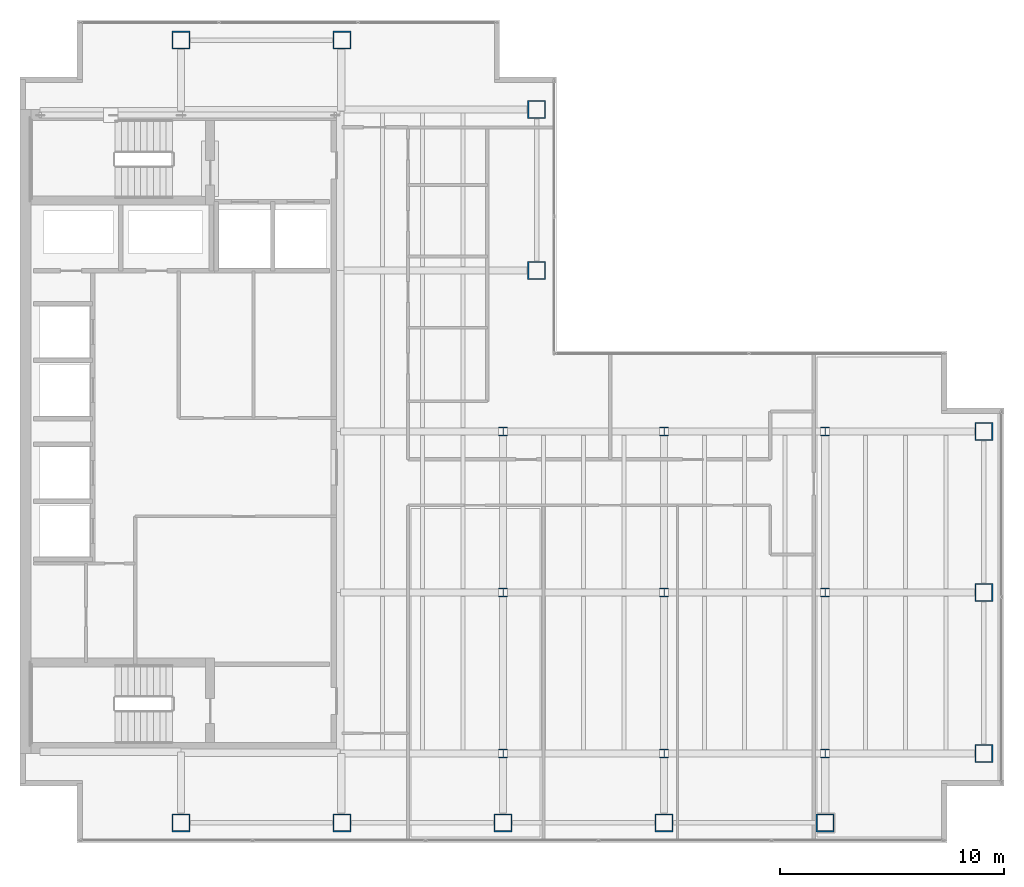
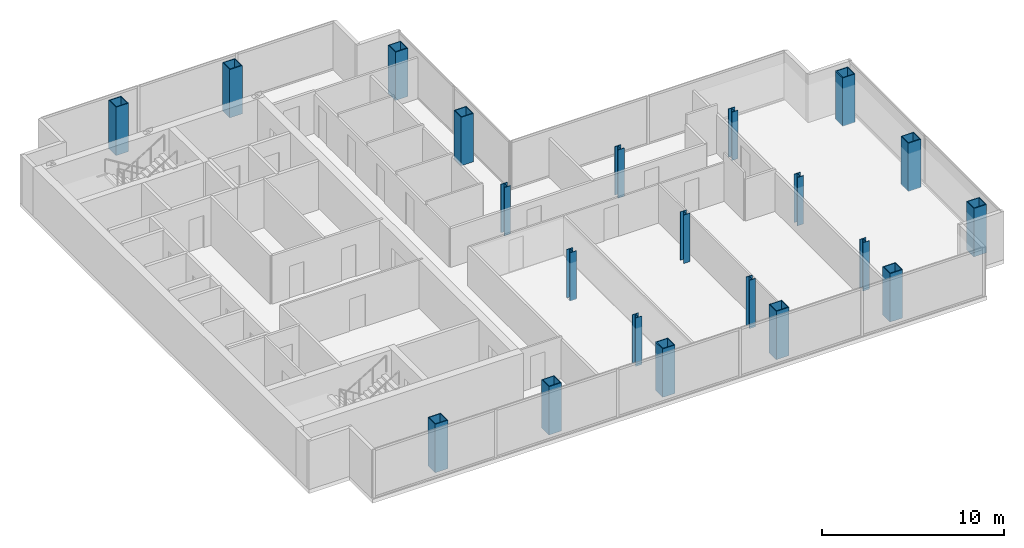
# One storey, part 1 of 23: 21 columns.
"""IFC4 building model written with IfcOpenShell, lengths in metres."""

from ifc_helpers import new_model, si_unit, direction, frame, origin, origin_2d, place, context, subcontext, project, spatial, hollow_rectangle, i_section, extrude, material, material_profile, profile_set, type_object, element, save


model = new_model("IFC4")

# Units and contexts
model_context = context("Model", 3, precision=1e-05, world=origin(), true_north=direction((0.0, 1.0)))
body_context = subcontext(model_context, "Body", "Model", "MODEL_VIEW")
ifc_project = project(units=[si_unit("LENGTHUNIT", "METRE"), si_unit("AREAUNIT", "SQUARE_METRE"), si_unit("VOLUMEUNIT", "CUBIC_METRE"), si_unit("PLANEANGLEUNIT", "RADIAN"), si_unit("MASSUNIT", "GRAM", prefix="KILO")], contexts=[model_context])

# Site, building, storey
site_placement = place(None, origin())
site = spatial("IfcSite", under=ifc_project, at=site_placement, CompositionType="ELEMENT")
building_placement = place(site_placement, origin())
building = spatial("IfcBuilding", under=site, at=building_placement, Name="Cobrela Telecom Tower", CompositionType="ELEMENT")
storey_placement = place(building_placement, frame((0.0, 0.0, 187.25)))
storey = spatial("IfcBuildingStorey", under=building, at=storey_placement, Name="L47", CompositionType="ELEMENT", Elevation=187.25)

# Columns
ifc_material_1 = material(Name="Steel ASTM A992 Grade 50", Category="steel")
ifc_material_profile_1 = material_profile(ifc_material_1, i_section(OverallWidth=0.39892578125, OverallDepth=0.39404296875, WebThickness=0.022705078125, FlangeThickness=0.03662109375, FilletRadius=0.01806640625, at=origin_2d()), Name="W14X193")
ifc_profile_set_1 = profile_set([ifc_material_profile_1], Name="Steel ASTM A992 Grade 50")
column_type_1 = type_object("IfcColumnType", Name="COL-INT-06", PredefinedType="COLUMN", material=ifc_profile_set_1)
for number, where, z_axis, x_axis, name in (
    (1, (21.60009765625, 7.199951171875, 0.0), (0.0, 0.0, 1.0), (1.0, 0.0, 0.0), "L47 Interior Column 06"),
    (2, (21.60009765625, 14.39990234375, 0.0), (0.0, 0.0, 1.0), (1.0, 0.0, 0.0), "L47 Interior Column 07"),
    (3, (21.60009765625, 21.60009765625, 0.0), (0.0, 0.0, 1.0), (1.0, 0.0, 0.0), "L47 Interior Column 08"),
    (4, (28.800048828125, 7.199951171875, 0.0), (0.0, 0.0, 1.0), (1.0, 0.0, 0.0), "L47 Interior Column 12"),
    (5, (28.800048828125, 14.39990234375, 0.0), (0.0, 0.0, 1.0), (1.0, 0.0, 0.0), "L47 Interior Column 13"),
    (6, (28.800048828125, 21.60009765625, 0.0), (0.0, 0.0, 1.0), (1.0, 0.0, 0.0), "L47 Interior Column 14"),
    (7, (36.0, 7.199951171875, 0.0), (0.0, 0.0, 1.0), (1.0, 0.0, 0.0), "L47 Interior Column 16"),
    (8, (36.0, 14.39990234375, 0.0), (0.0, 0.0, 1.0), (1.0, 0.0, 0.0), "L47 Interior Column 17"),
    (9, (36.0, 21.60009765625, 0.0), (0.0, 0.0, 1.0), (1.0, 0.0, 0.0), "L47 Interior Column 18"),
):
    element("IfcColumn", number, at=place(storey_placement, frame(where, z_axis=z_axis, x_axis=x_axis)), inside=storey, type_object=column_type_1, Name=name, PredefinedType="COLUMN", context=body_context, shape_type="SweptSolid", body=[
        extrude(i_section(OverallWidth=0.39892578125, OverallDepth=0.39404296875, WebThickness=0.022705078125, FlangeThickness=0.03662109375, FilletRadius=0.01806640625, at=origin_2d()), origin(), (0.0, 0.0, 1.0), 3.239990234375),
    ])
ifc_material_2 = material(Name="Steel ASTM A572 Grade 50", Category="steel")
ifc_material_profile_2 = material_profile(ifc_material_2, hollow_rectangle(XDim=0.800048828125, YDim=0.800048828125, WallThickness=0.050048828125, at=origin_2d()), Name="BOX 800x800x50")
ifc_profile_set_2 = profile_set([ifc_material_profile_2], Name="Steel ASTM A572 Grade 50")
column_type_2 = type_object("IfcColumnType", Name="COL-MEGA-07", PredefinedType="COLUMN", material=ifc_profile_set_2)
for number, where, z_axis, x_axis, name in (
    (10, (7.199951171875, 4.10009765625, 0.0), (0.0, 0.0, 1.0), (1.0, 0.0, 0.0), "L47 Perimeter Mega-Column 01"),
    (11, (7.199951171875, 39.10009765625, 0.0), (0.0, 0.0, 1.0), (1.0, 0.0, 0.0), "L47 Perimeter Mega-Column 02"),
    (12, (14.39990234375, 4.10009765625, 0.0), (0.0, 0.0, 1.0), (1.0, 0.0, 0.0), "L47 Perimeter Mega-Column 03"),
    (13, (14.39990234375, 39.10009765625, 0.0), (0.0, 0.0, 1.0), (1.0, 0.0, 0.0), "L47 Perimeter Mega-Column 04"),
    (14, (21.60009765625, 4.10009765625, 0.0), (0.0, 0.0, 1.0), (1.0, 0.0, 0.0), "L47 Perimeter Mega-Column 05"),
    (15, (23.10009765625, 28.800048828125, 0.0), (0.0, 0.0, 1.0), (1.0, 0.0, 0.0), "L47 Perimeter Mega-Column 09"),
    (16, (23.10009765625, 36.0, 0.0), (0.0, 0.0, 1.0), (1.0, 0.0, 0.0), "L47 Perimeter Mega-Column 10"),
    (17, (28.800048828125, 4.10009765625, 0.0), (0.0, 0.0, 1.0), (1.0, 0.0, 0.0), "L47 Perimeter Mega-Column 11"),
    (18, (36.0, 4.10009765625, 0.0), (0.0, 0.0, 1.0), (1.0, 0.0, 0.0), "L47 Perimeter Mega-Column 15"),
    (19, (43.10009765625, 7.199951171875, 0.0), (0.0, 0.0, 1.0), (1.0, 0.0, 0.0), "L47 Perimeter Mega-Column 19"),
    (20, (43.10009765625, 14.39990234375, 0.0), (0.0, 0.0, 1.0), (1.0, 0.0, 0.0), "L47 Perimeter Mega-Column 20"),
    (21, (43.10009765625, 21.60009765625, 0.0), (0.0, 0.0, 1.0), (1.0, 0.0, 0.0), "L47 Perimeter Mega-Column 21"),
):
    element("IfcColumn", number, at=place(storey_placement, frame(where, z_axis=z_axis, x_axis=x_axis)), inside=storey, type_object=column_type_2, Name=name, PredefinedType="COLUMN", context=body_context, shape_type="SweptSolid", body=[
        extrude(hollow_rectangle(XDim=0.800048828125, YDim=0.800048828125, WallThickness=0.050048828125, at=origin_2d()), origin(), (0.0, 0.0, 1.0), 3.239990234375),
    ])

save(model, "model.ifc")
